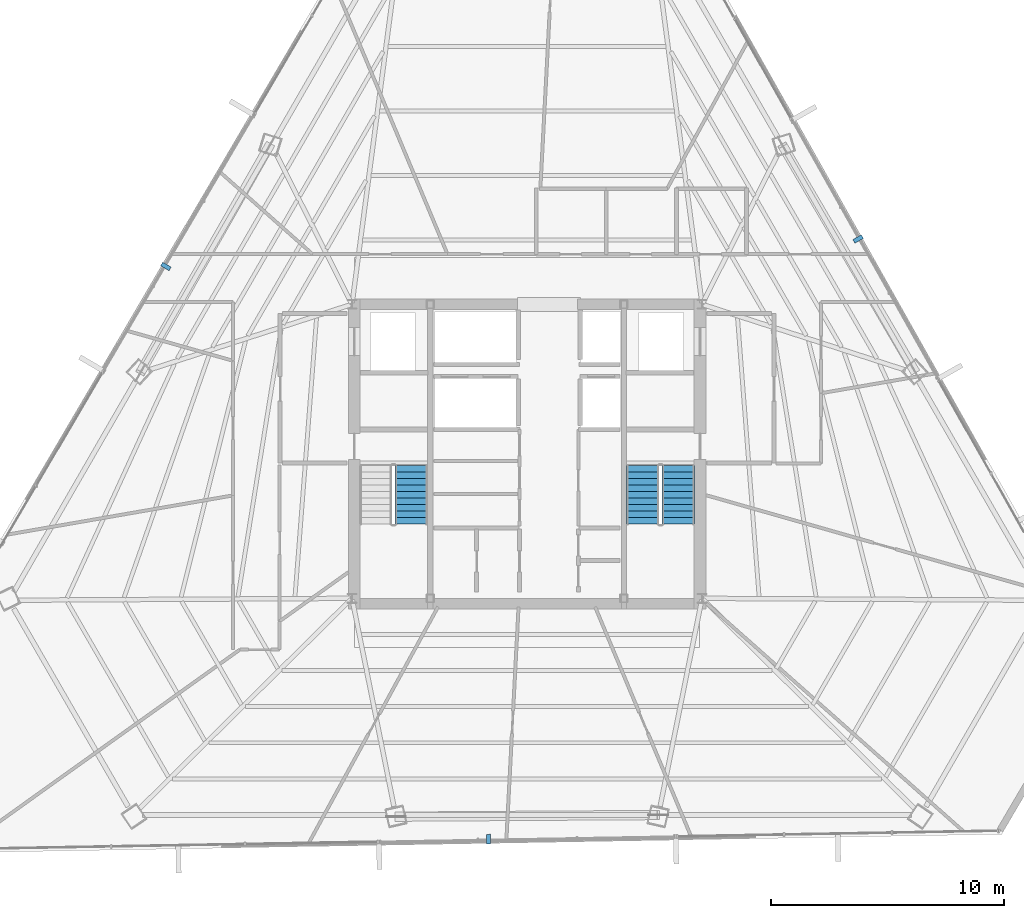
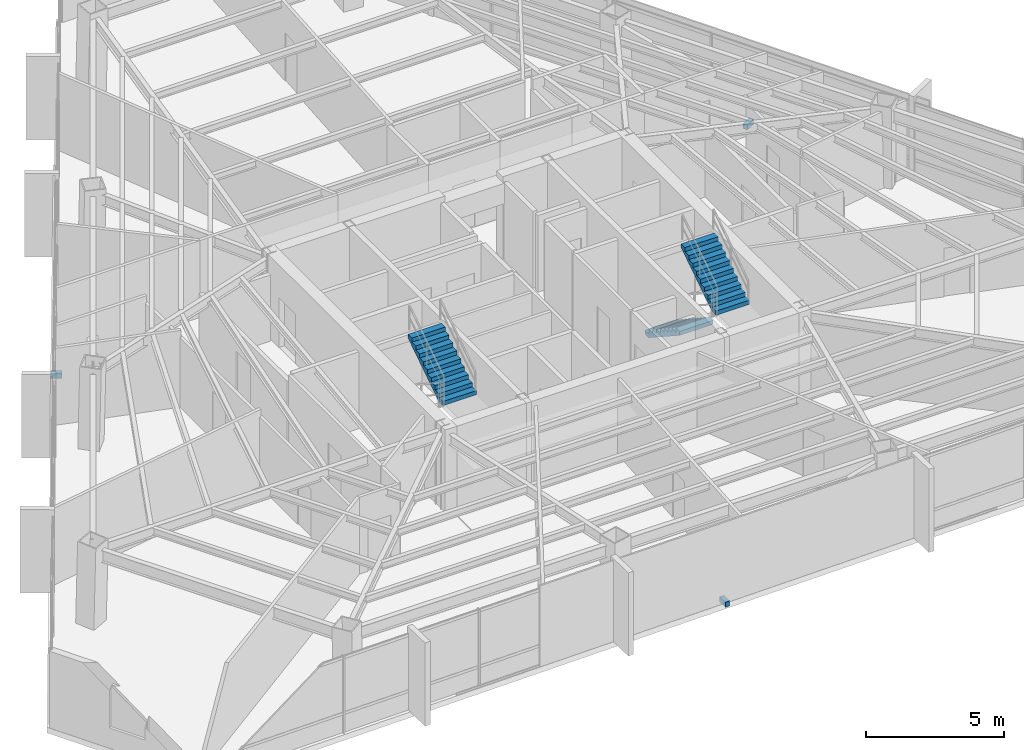
# One storey, part 38 of 42: 3 discrete accessories, 3 stair flights, 2 elements without a shape of their own.
"""IFC4 building model written with IfcOpenShell, lengths in metres."""

from ifc_helpers import new_model, si_unit, direction, frame, origin, origin_2d, place, context, subcontext, project, spatial, polyline, rectangle, outline, extrude, source, transform, mapped, material, type_object, type_shapes, element, aggregate, save


model = new_model("IFC4")

# Units and contexts
model_context = context("Model", 3, precision=1e-05, world=origin(), true_north=direction((0.0, 1.0)))
body_context = subcontext(model_context, "Body", "Model", "MODEL_VIEW")
ifc_project = project(units=[si_unit("LENGTHUNIT", "METRE"), si_unit("AREAUNIT", "SQUARE_METRE"), si_unit("VOLUMEUNIT", "CUBIC_METRE"), si_unit("PLANEANGLEUNIT", "RADIAN"), si_unit("MASSUNIT", "GRAM", prefix="KILO")], contexts=[model_context])

# Site, building, storey
site_placement = place(None, origin())
site = spatial("IfcSite", under=ifc_project, at=site_placement, CompositionType="ELEMENT")
building_placement = place(site_placement, origin())
building = spatial("IfcBuilding", under=site, at=building_placement, Name="Caelisora Broadcast Tower", CompositionType="ELEMENT")
storey_placement = place(building_placement, frame((0.0, 0.0, 191.35009765625)))
storey = spatial("IfcBuildingStorey", under=building, at=storey_placement, Name="L50", CompositionType="ELEMENT", Elevation=191.35009765625)

# Stair, stair flight
ifc_material_1 = material(Name="Concrete 40 MPa (AS 3600 N40)", Category="concrete")
stair_type_1 = type_object("IfcStairType", Name="ST-1", PredefinedType="HALF_TURN_STAIR", material=ifc_material_1)
stair_1_placement = place(storey_placement, origin())
stair_1 = element("IfcStair", 1, at=stair_1_placement, inside=storey, type_object=stair_type_1, Name="L50 West Fire-Isolated Tower Stair", PredefinedType="HALF_TURN_STAIR")
stair_flight_type = type_object("IfcStairFlightType", Name="STF-3", PredefinedType="STRAIGHT", material=ifc_material_1)
stair_flight_1_placement = place(storey_placement, frame((33.0400390625, 20.580078125, 1.824951171875), z_axis=(0.0, 0.0, 1.0), x_axis=(0.0, 1.0, 0.0)))
stair_flight_1 = element("IfcStairFlight", 2, at=stair_flight_1_placement, type_object=stair_flight_type, Name="ST-1 flight 2", NumberOfRisers=10, NumberOfTreads=9, PredefinedType="STRAIGHT", RiserHeight=0.1825, TreadLength=0.28, context=body_context, shape_type="SweptSolid", body=[
    extrude(outline(polyline([(0.0, 0.0), (0.0, 0.1826171875), (0.280029296875, 0.1826171875), (0.280029296875, 0.364990234375), (0.56005859375, 0.364990234375), (0.56005859375, 0.547607421875), (0.840087890625, 0.547607421875), (0.840087890625, 0.72998046875), (1.1201171875, 0.72998046875), (1.1201171875, 0.91259765625), (1.39990234375, 0.91259765625), (1.39990234375, 1.094970703125), (1.679931640625, 1.094970703125), (1.679931640625, 1.277587890625), (1.9599609375, 1.277587890625), (1.9599609375, 1.4599609375), (2.239990234375, 1.4599609375), (2.239990234375, 1.642578125), (2.52001953125, 1.642578125), (2.52001953125, 1.824951171875), (2.52001953125, 1.463623046875), (0.2744140625, 0.0), (0.0, 0.0)])), frame((0.0, 0.699951171875, 0.0), z_axis=(0.0, -1.0, 0.0), x_axis=(1.0, 0.0, 0.0)), (0.0, 0.0, 1.0), 1.39990234375),
])
aggregate(stair_1, [stair_flight_1])

# Stair, stair flights
stair_type_2 = type_object("IfcStairType", Name="ST-2", PredefinedType="HALF_TURN_STAIR", material=ifc_material_1)
stair_2_placement = place(storey_placement, origin())
stair_2 = element("IfcStair", 3, at=stair_2_placement, inside=storey, type_object=stair_type_2, Name="L50 East Fire-Isolated Tower Stair", PredefinedType="HALF_TURN_STAIR")
stair_flight_2_placement = place(storey_placement, frame((42.9599609375, 23.10009765625, 0.0), z_axis=(0.0, 0.0, 1.0), x_axis=(0.0, -1.0, 0.0)))
stair_flight_2 = element("IfcStairFlight", 4, at=stair_flight_2_placement, type_object=stair_flight_type, Name="ST-2 flight 1", NumberOfRisers=10, NumberOfTreads=9, PredefinedType="STRAIGHT", RiserHeight=0.1825, TreadLength=0.28, context=body_context, shape_type="SweptSolid", body=[
    extrude(outline(polyline([(0.0, 0.0), (0.0, 0.1826171875), (0.280029296875, 0.1826171875), (0.280029296875, 0.364990234375), (0.56005859375, 0.364990234375), (0.56005859375, 0.547607421875), (0.840087890625, 0.547607421875), (0.840087890625, 0.72998046875), (1.1201171875, 0.72998046875), (1.1201171875, 0.91259765625), (1.39990234375, 0.91259765625), (1.39990234375, 1.094970703125), (1.679931640625, 1.094970703125), (1.679931640625, 1.277587890625), (1.9599609375, 1.277587890625), (1.9599609375, 1.4599609375), (2.239990234375, 1.4599609375), (2.239990234375, 1.642578125), (2.52001953125, 1.642578125), (2.52001953125, 1.824951171875), (2.52001953125, 1.463623046875), (0.2744140625, 0.0), (0.0, 0.0)])), frame((0.0, 0.699951171875, 0.0), z_axis=(0.0, -1.0, 0.0), x_axis=(1.0, 0.0, 0.0)), (0.0, 0.0, 1.0), 1.39990234375),
])
stair_flight_3_placement = place(storey_placement, frame((44.47998046875, 20.580078125, 1.824951171875), z_axis=(0.0, 0.0, 1.0), x_axis=(0.0, 1.0, 0.0)))
stair_flight_3 = element("IfcStairFlight", 5, at=stair_flight_3_placement, type_object=stair_flight_type, Name="ST-2 flight 2", NumberOfRisers=10, NumberOfTreads=9, PredefinedType="STRAIGHT", RiserHeight=0.1825, TreadLength=0.28, context=body_context, shape_type="SweptSolid", body=[
    extrude(outline(polyline([(0.0, 0.0), (0.0, 0.1826171875), (0.280029296875, 0.1826171875), (0.280029296875, 0.364990234375), (0.56005859375, 0.364990234375), (0.56005859375, 0.547607421875), (0.840087890625, 0.547607421875), (0.840087890625, 0.72998046875), (1.1201171875, 0.72998046875), (1.1201171875, 0.91259765625), (1.39990234375, 0.91259765625), (1.39990234375, 1.094970703125), (1.679931640625, 1.094970703125), (1.679931640625, 1.277587890625), (1.9599609375, 1.277587890625), (1.9599609375, 1.4599609375), (2.239990234375, 1.4599609375), (2.239990234375, 1.642578125), (2.52001953125, 1.642578125), (2.52001953125, 1.824951171875), (2.52001953125, 1.463623046875), (0.2744140625, 0.0), (0.0, 0.0)])), frame((0.0, 0.699951171875, 0.0), z_axis=(0.0, -1.0, 0.0), x_axis=(1.0, 0.0, 0.0)), (0.0, 0.0, 1.0), 1.39990234375),
])
aggregate(stair_2, [stair_flight_2, stair_flight_3])

# Discrete accessories
ifc_material_2 = material(Name="Steel Grade 350 (AS/NZS 3679.1)", Category="steel")
discrete_accessory_type = type_object("IfcDiscreteAccessoryType", Name="BRK-1", PredefinedType="BRACKET", material=ifc_material_2)
shared_shape = source(origin(), body_context, "Body", "SweptSolid", [
    extrude(rectangle(XDim=0.179931640625, YDim=0.419921875, at=origin_2d()), origin(), (0.0, 0.0, 1.0), 0.219970703125),
])
type_shapes(discrete_accessory_type, [shared_shape])
for number, where, z_axis, x_axis, name in (
    (6, (22.523193359375, 31.621826171875, -0.16015625), (0.0, 0.0, 1.0), (-0.506334807353, -0.862336977557, 0.0), "L50 solar screen outrigger bracket #1"),
    (7, (36.350341796875, 7.080078125, -0.16015625), (0.0, 0.0, 1.0), (0.999844633908, 0.017626912514, 0.0), "L50 solar screen outrigger bracket #2"),
    (8, (52.187744140625, 32.797119140625, -0.16015625), (0.0, 0.0, 1.0), (-0.491055801632, 0.871128118983, 0.0), "L50 solar screen outrigger bracket #3"),
):
    element("IfcDiscreteAccessory", number, at=place(storey_placement, frame(where, z_axis=z_axis, x_axis=x_axis)), inside=storey, type_object=discrete_accessory_type, Name=name, PredefinedType="BRACKET", context=body_context, shape_type="MappedRepresentation", body=[
        mapped(shared_shape, transform((0.0, 0.0, 0.0), scale=1.0)),
    ])

save(model, "model.ifc")
